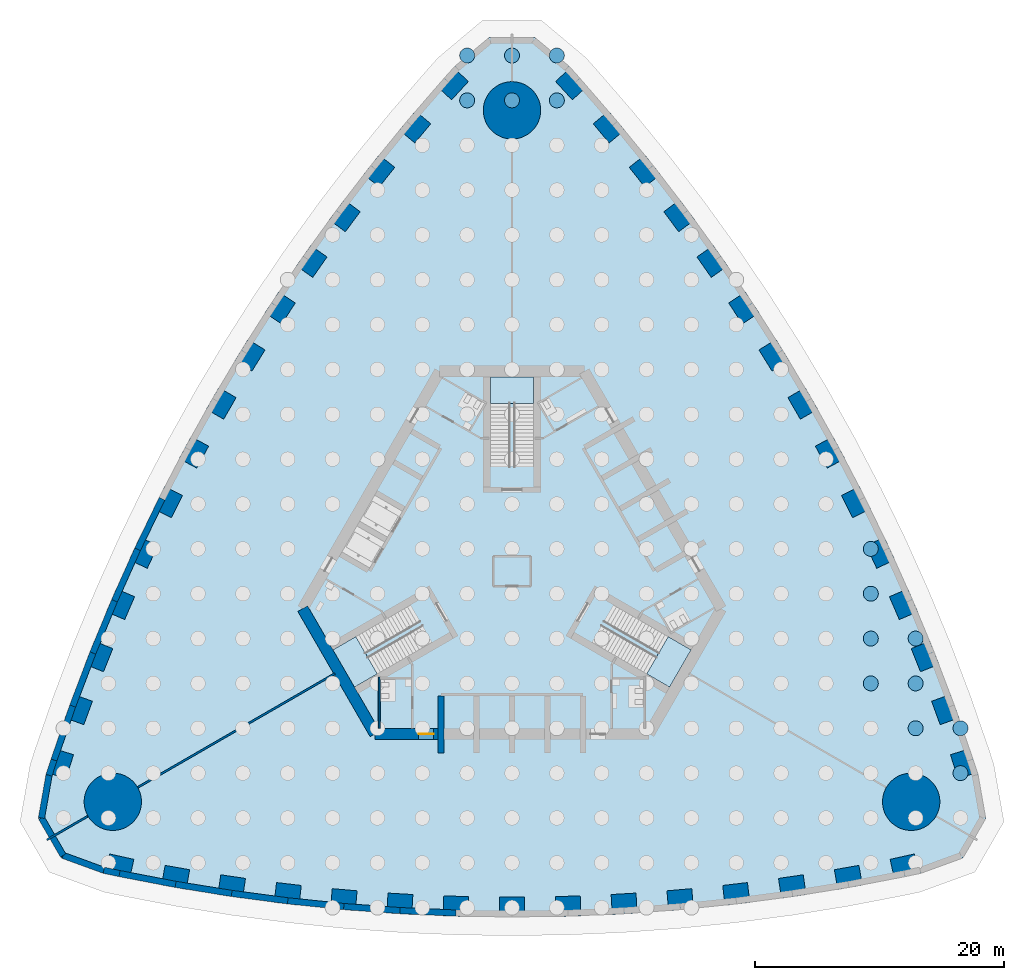
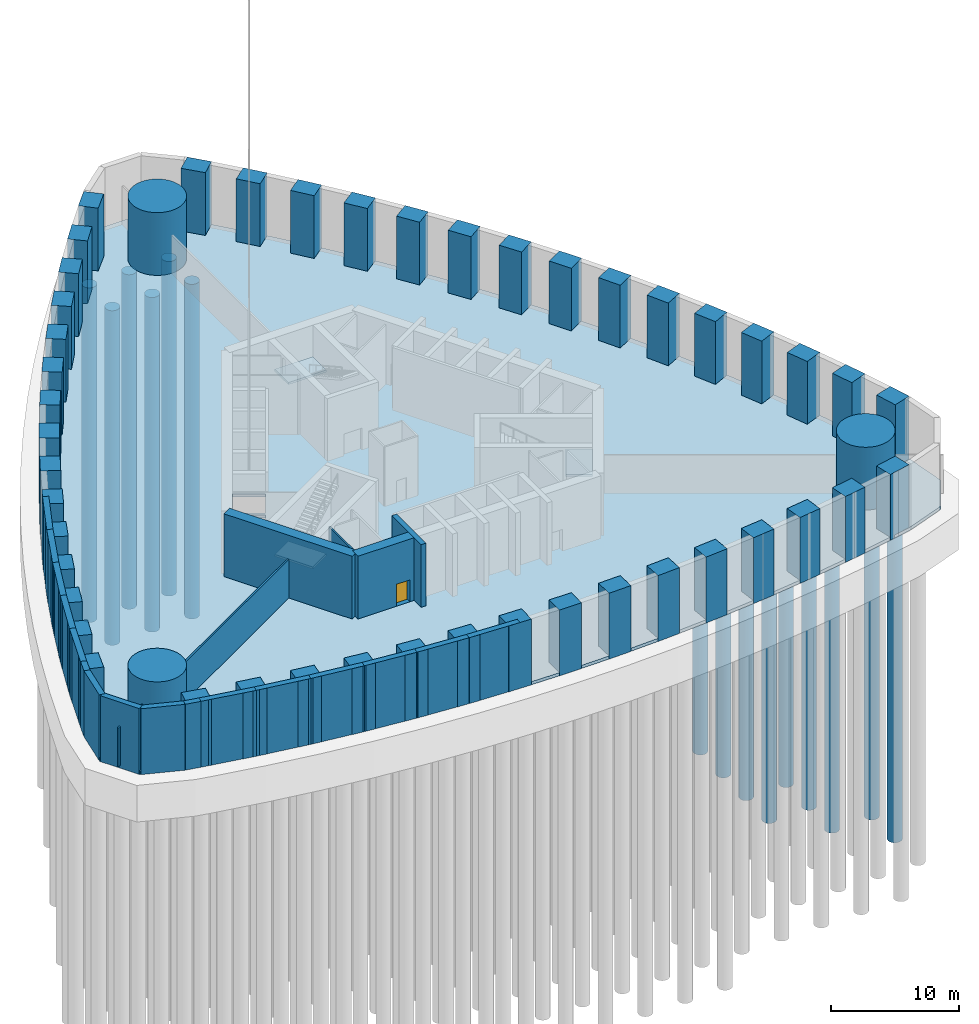
# One storey, part 2 of 12: 48 columns, 22 walls, 15 piles, 4 slabs, 1 door, 1 opening, 3 elements without a shape of their own.
"""IFC4 building model written with IfcOpenShell, lengths in metres."""

from ifc_helpers import new_model, si_unit, direction, frame, frame_2d, origin, origin_2d, place, context, subcontext, project, spatial, polyline, rectangle, circle, outline, extrude, material, layer, layer_set, material_profile, profile_set, type_object, element, fill, aggregate, save


model = new_model("IFC4")

# Units and contexts
model_context = context("Model", 3, precision=1e-05, world=origin(), true_north=direction((0.0, 1.0)))
body_context = subcontext(model_context, "Body", "Model", "MODEL_VIEW")
ifc_project = project(units=[si_unit("LENGTHUNIT", "METRE"), si_unit("AREAUNIT", "SQUARE_METRE"), si_unit("VOLUMEUNIT", "CUBIC_METRE"), si_unit("PLANEANGLEUNIT", "RADIAN"), si_unit("MASSUNIT", "GRAM", prefix="KILO")], contexts=[model_context])

# Site, building, storey
site_placement = place(None, origin())
site = spatial("IfcSite", under=ifc_project, at=site_placement, CompositionType="ELEMENT")
building_placement = place(site_placement, origin())
building = spatial("IfcBuilding", under=site, at=building_placement, Name="Trefoil Bronze Tower", CompositionType="ELEMENT")
storey_placement = place(building_placement, frame((0.0, 0.0, -6.0)))
storey = spatial("IfcBuildingStorey", under=building, at=storey_placement, Name="B1", CompositionType="ELEMENT", Elevation=-6.0)

# Piles
ifc_material_1 = material(Name="Concrete B40", Category="concrete")
pile_type = type_object("IfcPileType", Name="Bored pile D1200", PredefinedType="BORED", material=ifc_material_1)
for number, where, z_axis, x_axis, name in (
    (1, (36.0, -16.199951171875, -3.800048828125), (0.0, 0.0, -1.0), (1.0, 0.0, 0.0), "Bored pile 70"),
    (2, (32.39990234375, -12.60009765625, -3.800048828125), (0.0, 0.0, -1.0), (1.0, 0.0, 0.0), "Bored pile 90"),
    (3, (36.0, -12.60009765625, -3.800048828125), (0.0, 0.0, -1.0), (1.0, 0.0, 0.0), "Bored pile 91"),
    (4, (28.800048828125, -9.0, -3.800048828125), (0.0, 0.0, -1.0), (1.0, 0.0, 0.0), "Bored pile 109"),
    (5, (32.39990234375, -9.0, -3.800048828125), (0.0, 0.0, -1.0), (1.0, 0.0, 0.0), "Bored pile 110"),
    (6, (28.800048828125, -5.39990234375, -3.800048828125), (0.0, 0.0, -1.0), (1.0, 0.0, 0.0), "Bored pile 128"),
    (7, (32.39990234375, -5.39990234375, -3.800048828125), (0.0, 0.0, -1.0), (1.0, 0.0, 0.0), "Bored pile 129"),
    (8, (28.800048828125, -1.800048828125, -3.800048828125), (0.0, 0.0, -1.0), (1.0, 0.0, 0.0), "Bored pile 146"),
    (9, (28.800048828125, 1.800048828125, -3.800048828125), (0.0, 0.0, -1.0), (1.0, 0.0, 0.0), "Bored pile 161"),
    (10, (-3.60009765625, 37.800048828125, -3.800048828125), (0.0, 0.0, -1.0), (1.0, 0.0, 0.0), "Bored pile 260"),
    (11, (0.0, 37.800048828125, -3.800048828125), (0.0, 0.0, -1.0), (1.0, 0.0, 0.0), "Bored pile 261"),
    (12, (3.60009765625, 37.800048828125, -3.800048828125), (0.0, 0.0, -1.0), (1.0, 0.0, 0.0), "Bored pile 262"),
    (13, (-3.60009765625, 41.39990234375, -3.800048828125), (0.0, 0.0, -1.0), (1.0, 0.0, 0.0), "Bored pile 263"),
    (14, (0.0, 41.39990234375, -3.800048828125), (0.0, 0.0, -1.0), (1.0, 0.0, 0.0), "Bored pile 264"),
    (15, (3.60009765625, 41.39990234375, -3.800048828125), (0.0, 0.0, -1.0), (1.0, 0.0, 0.0), "Bored pile 265"),
):
    element("IfcPile", number, at=place(storey_placement, frame(where, z_axis=z_axis, x_axis=x_axis)), inside=storey, type_object=pile_type, Name=name, PredefinedType="BORED", context=body_context, shape_type="SweptSolid", body=[
        extrude(circle(Radius=0.60009765625, at=origin_2d()), origin(), (0.0, 0.0, 1.0), 32.0),
    ])

# Columns
ifc_material_2 = material(Name="Concrete B80", Category="concrete")
ifc_material_profile_1 = material_profile(ifc_material_2, circle(Radius=2.300048828125, at=origin_2d()), Name="RC D4600")
ifc_profile_set_1 = profile_set([ifc_material_profile_1], Name="Concrete B80")
column_type_1 = type_object("IfcColumnType", Name="Mega column RC D4600", PredefinedType="COLUMN", material=ifc_profile_set_1)
for number, where, z_axis, x_axis, name in (
    (16, (32.04296875, -18.5, -0.300048828125), (0.0, 0.0, 1.0), (1.0, 0.0, 0.0), "Mega column K1 B1"),
    (17, (0.0, 37.0, -0.300048828125), (0.0, 0.0, 1.0), (1.0, 0.0, 0.0), "Mega column K2 B1"),
    (18, (-32.04296875, -18.5, -0.300048828125), (0.0, 0.0, 1.0), (1.0, 0.0, 0.0), "Mega column K3 B1"),
):
    element("IfcColumn", number, at=place(storey_placement, frame(where, z_axis=z_axis, x_axis=x_axis)), inside=storey, type_object=column_type_1, Name=name, PredefinedType="COLUMN", context=body_context, shape_type="SweptSolid", body=[
        extrude(circle(Radius=2.300048828125, at=origin_2d()), origin(), (0.0, 0.0, 1.0), 6.300048828125),
    ])
ifc_material_3 = material(Name="Concrete B80", Category="concrete")
ifc_material_profile_2 = material_profile(ifc_material_3, rectangle(XDim=2.0, YDim=1.60009765625, at=origin_2d()), Name="RC 2000x1600")
ifc_profile_set_2 = profile_set([ifc_material_profile_2], Name="Concrete B80")
column_type_2 = type_object("IfcColumnType", Name="Tube column RC 2000x1600", PredefinedType="COLUMN", material=ifc_profile_set_2)
for number, where, z_axis, x_axis, name in (
    (19, (-31.5, -23.684814453125, -0.300048828125), (0.0, 0.0, 1.0), (0.976229647342, -0.216738726697, 0.0), "Tube column F1/-7 B1"),
    (20, (-27.0, -24.56787109375, -0.300048828125), (0.0, 0.0, 1.0), (0.984722470468, -0.174131146426, 0.0), "Tube column F1/-6 B1"),
    (21, (-22.5, -25.29931640625, -0.300048828125), (0.0, 0.0, 1.0), (0.989415676546, -0.145108990094, 0.0), "Tube column F1/-5 B1"),
    (22, (-18.0, -25.895263671875, -0.300048828125), (0.0, 0.0, 1.0), (0.993239048989, -0.116086999973, 0.0), "Tube column F1/-4 B1"),
    (23, (-13.5, -26.35693359375, -0.300048828125), (0.0, 0.0, 1.0), (0.996202620701, -0.087065139456, 0.0), "Tube column F1/-3 B1"),
    (24, (-9.0, -26.68603515625, -0.300048828125), (0.0, 0.0, 1.0), (0.998314062162, -0.058043374207, 0.0), "Tube column F1/-2 B1"),
    (25, (-4.5, -26.883056640625, -0.300048828125), (0.0, 0.0, 1.0), (0.999578782577, -0.029021671584, 0.0), "Tube column F1/-1 B1"),
    (26, (0.0, -26.94873046875, -0.300048828125), (0.0, 0.0, 1.0), (1.0, 0.0, 0.0), "Tube column F1/+0 B1"),
    (27, (4.5, -26.883056640625, -0.300048828125), (0.0, 0.0, 1.0), (0.999578782577, 0.029021671584, 0.0), "Tube column F1/+1 B1"),
    (28, (9.0, -26.68603515625, -0.300048828125), (0.0, 0.0, 1.0), (0.998314062162, 0.058043374207, 0.0), "Tube column F1/+2 B1"),
    (29, (13.5, -26.35693359375, -0.300048828125), (0.0, 0.0, 1.0), (0.996202620701, 0.087065139456, 0.0), "Tube column F1/+3 B1"),
    (30, (18.0, -25.895263671875, -0.300048828125), (0.0, 0.0, 1.0), (0.993239048989, 0.116086999973, 0.0), "Tube column F1/+4 B1"),
    (31, (22.5, -25.29931640625, -0.300048828125), (0.0, 0.0, 1.0), (0.989415676546, 0.145108990094, 0.0), "Tube column F1/+5 B1"),
    (32, (27.0, -24.56787109375, -0.300048828125), (0.0, 0.0, 1.0), (0.984722470468, 0.174131146426, 0.0), "Tube column F1/+6 B1"),
    (33, (31.5, -23.684814453125, -0.300048828125), (0.0, 0.0, 1.0), (0.976229647342, 0.216738726697, 0.0), "Tube column F1/+7 B1"),
    (34, (36.26171875, -15.4375, -0.300048828125), (0.0, 0.0, 1.0), (-0.300413580368, 0.953809037874, 0.0), "Tube column F2/-7 B1"),
    (35, (34.7763671875, -11.0986328125, -0.300048828125), (0.0, 0.0, 1.0), (-0.341559238839, 0.939860248316, 0.0), "Tube column F2/-6 B1"),
    (36, (33.159912109375, -6.8359375, -0.300048828125), (0.0, 0.0, 1.0), (-0.369039766534, 0.929413605838, 0.0), "Tube column F2/-5 B1"),
    (37, (31.42578125, -2.640869140625, -0.300048828125), (0.0, 0.0, 1.0), (-0.396085233469, 0.918213748442, 0.0), "Tube column F2/-4 B1"),
    (38, (29.575927734375, 1.487060546875, -0.300048828125), (0.0, 0.0, 1.0), (-0.422700687798, 0.906269346572, 0.0), "Tube column F2/-3 B1"),
    (39, (27.61083984375, 5.548828125, -0.300048828125), (0.0, 0.0, 1.0), (-0.448889994497, 0.893587025891, 0.0), "Tube column F2/-2 B1"),
    (40, (25.531494140625, 9.54443359375, -0.300048828125), (0.0, 0.0, 1.0), (-0.474655886437, 0.880171454588, 0.0), "Tube column F2/-1 B1"),
    (41, (23.33837890625, 13.474365234375, -0.300048828125), (0.0, 0.0, 1.0), (-0.5, 0.866025403784, 0.0), "Tube column F2/+0 B1"),
    (42, (21.031494140625, 17.338623046875, -0.300048828125), (0.0, 0.0, 1.0), (-0.524922896141, 0.851149783004, 0.0), "Tube column F2/+1 B1"),
    (43, (18.61083984375, 21.13720703125, -0.300048828125), (0.0, 0.0, 1.0), (-0.549424067665, 0.835543651684, 0.0), "Tube column F2/+2 B1"),
    (44, (16.075927734375, 24.869873046875, -0.300048828125), (0.0, 0.0, 1.0), (-0.573501932903, 0.819204207116, 0.0), "Tube column F2/+3 B1"),
    (45, (13.42578125, 28.5361328125, -0.300048828125), (0.0, 0.0, 1.0), (-0.59715381552, 0.802126748469, 0.0), "Tube column F2/+4 B1"),
    (46, (10.659912109375, 32.13525390625, -0.300048828125), (0.0, 0.0, 1.0), (-0.620375910011, 0.784304615744, 0.0), "Tube column F2/+5 B1"),
    (47, (7.7763671875, 35.666748046875, -0.300048828125), (0.0, 0.0, 1.0), (-0.643163231629, 0.765729101889, 0.0), "Tube column F2/+6 B1"),
    (48, (4.76171875, 39.122314453125, -0.300048828125), (0.0, 0.0, 1.0), (-0.675816066975, 0.737070311177, 0.0), "Tube column F2/+7 B1"),
    (49, (-4.76171875, 39.122314453125, -0.300048828125), (0.0, 0.0, 1.0), (-0.675816066975, -0.737070311177, 0.0), "Tube column F3/-7 B1"),
    (50, (-7.7763671875, 35.666748046875, -0.300048828125), (0.0, 0.0, 1.0), (-0.643163231629, -0.765729101889, 0.0), "Tube column F3/-6 B1"),
    (51, (-10.659912109375, 32.13525390625, -0.300048828125), (0.0, 0.0, 1.0), (-0.620375910011, -0.784304615744, 0.0), "Tube column F3/-5 B1"),
    (52, (-13.42578125, 28.5361328125, -0.300048828125), (0.0, 0.0, 1.0), (-0.59715381552, -0.802126748469, 0.0), "Tube column F3/-4 B1"),
    (53, (-16.075927734375, 24.869873046875, -0.300048828125), (0.0, 0.0, 1.0), (-0.573501932903, -0.819204207116, 0.0), "Tube column F3/-3 B1"),
    (54, (-18.61083984375, 21.13720703125, -0.300048828125), (0.0, 0.0, 1.0), (-0.549424067665, -0.835543651684, 0.0), "Tube column F3/-2 B1"),
    (55, (-21.031494140625, 17.338623046875, -0.300048828125), (0.0, 0.0, 1.0), (-0.524922896141, -0.851149783004, 0.0), "Tube column F3/-1 B1"),
    (56, (-23.33837890625, 13.474365234375, -0.300048828125), (0.0, 0.0, 1.0), (-0.5, -0.866025403784, 0.0), "Tube column F3/+0 B1"),
    (57, (-25.531494140625, 9.54443359375, -0.300048828125), (0.0, 0.0, 1.0), (-0.474655886437, -0.880171454588, 0.0), "Tube column F3/+1 B1"),
    (58, (-27.61083984375, 5.548828125, -0.300048828125), (0.0, 0.0, 1.0), (-0.448889994497, -0.893587025891, 0.0), "Tube column F3/+2 B1"),
    (59, (-29.575927734375, 1.487060546875, -0.300048828125), (0.0, 0.0, 1.0), (-0.422700687798, -0.906269346572, 0.0), "Tube column F3/+3 B1"),
    (60, (-31.42578125, -2.640869140625, -0.300048828125), (0.0, 0.0, 1.0), (-0.396085233469, -0.918213748442, 0.0), "Tube column F3/+4 B1"),
    (61, (-33.159912109375, -6.8359375, -0.300048828125), (0.0, 0.0, 1.0), (-0.369039766534, -0.929413605838, 0.0), "Tube column F3/+5 B1"),
    (62, (-34.7763671875, -11.0986328125, -0.300048828125), (0.0, 0.0, 1.0), (-0.341559238839, -0.939860248316, 0.0), "Tube column F3/+6 B1"),
    (63, (-36.26171875, -15.4375, -0.300048828125), (0.0, 0.0, 1.0), (-0.300413580368, -0.953809037874, 0.0), "Tube column F3/+7 B1"),
):
    element("IfcColumn", number, at=place(storey_placement, frame(where, z_axis=z_axis, x_axis=x_axis)), inside=storey, type_object=column_type_2, Name=name, PredefinedType="COLUMN", context=body_context, shape_type="SweptSolid", body=[
        extrude(rectangle(XDim=2.0, YDim=1.60009765625, at=origin_2d()), origin(), (0.0, 0.0, 1.0), 6.300048828125),
    ])

# Slab
ifc_material_4 = material(Name="Concrete B40", Category="concrete")
ifc_layer_1 = layer(ifc_material_4, 0.300048828125)
ifc_layer_set_1 = layer_set([ifc_layer_1], Name="Basement slab 300")
slab_type_1 = type_object("IfcSlabType", Name="Basement slab 300", PredefinedType="BASESLAB", material=ifc_layer_set_1)
slab_1_placement = place(storey_placement, frame((0.0, 0.0, -0.300048828125)))
element("IfcSlab", 64, at=slab_1_placement, inside=storey, type_object=slab_type_1, Name="Basement slab B1", PredefinedType="BASESLAB", context=body_context, shape_type="SweptSolid", body=[
    extrude(outline(polyline([(-32.762451171875, -24.248779296875), (-31.5, -24.51611328125), (-27.0, -25.38037109375), (-22.5, -26.10791015625), (-18.0, -26.70068359375), (-13.5, -27.159912109375), (-9.0, -27.4873046875), (-4.5, -27.683349609375), (0.0, -27.748779296875), (4.5, -27.683349609375), (9.0, -27.4873046875), (13.5, -27.159912109375), (18.0, -26.70068359375), (22.5, -26.10791015625), (27.0, -25.38037109375), (31.5, -24.51611328125), (32.762451171875, -24.248779296875), (36.190673828125, -23.0009765625), (38.0146484375, -19.841552734375), (37.381103515625, -16.248779296875), (36.9814453125, -15.021728515625), (35.47998046875, -10.6923828125), (33.860107421875, -6.431640625), (32.123291015625, -2.238037109375), (30.271240234375, 1.888671875), (28.3046875, 5.949462890625), (26.224609375, 9.944580078125), (24.031005859375, 13.874267578125), (21.724609375, 17.73876953125), (19.3046875, 21.537841796875), (16.771240234375, 25.271240234375), (14.123291015625, 28.938720703125), (11.360107421875, 32.53955078125), (8.47998046875, 36.07275390625), (5.4814453125, 39.537841796875), (4.618896484375, 40.497314453125), (1.82421875, 42.842529296875), (-1.82421875, 42.842529296875), (-4.618896484375, 40.497314453125), (-5.4814453125, 39.537841796875), (-8.47998046875, 36.07275390625), (-11.360107421875, 32.53955078125), (-14.123291015625, 28.938720703125), (-16.771240234375, 25.271240234375), (-19.3046875, 21.537841796875), (-21.724609375, 17.73876953125), (-24.031005859375, 13.874267578125), (-26.224609375, 9.944580078125), (-28.3046875, 5.949462890625), (-30.271240234375, 1.888671875), (-32.123291015625, -2.238037109375), (-33.860107421875, -6.431640625), (-35.47998046875, -10.6923828125), (-36.9814453125, -15.021728515625), (-37.381103515625, -16.248779296875), (-38.0146484375, -19.841552734375), (-36.190673828125, -23.0009765625), (-32.762451171875, -24.248779296875)]), holes=[polyline([(-8.744384765625, 4.904296875), (-10.04443359375, 2.652587890625), (-12.2744140625, 3.940185546875), (-10.974365234375, 6.191650390625), (-8.744384765625, 4.904296875)]), polyline([(-10.16943359375, 2.43603515625), (-11.469482421875, 0.184326171875), (-13.699462890625, 1.471923828125), (-12.3994140625, 3.7236328125), (-10.16943359375, 2.43603515625)])]), origin(), (0.0, 0.0, 1.0), 0.300048828125),
])

# Stair, slab
ifc_material_5 = material(Name="Precast concrete B80", Category="concrete")
stair_type = type_object("IfcStairType", Name="Exit stair 36 risers", PredefinedType="HALF_TURN_STAIR", material=ifc_material_5)
stair_1_placement = place(storey_placement, origin())
stair_1 = element("IfcStair", 65, at=stair_1_placement, inside=storey, type_object=stair_type, Name="Stair ST1 B1", PredefinedType="HALF_TURN_STAIR")
ifc_material_6 = material(Name="Concrete B30", Category="concrete")
ifc_layer_2 = layer(ifc_material_6, 0.199951171875)
ifc_layer_set_2 = layer_set([ifc_layer_2], Name="Stair landing 200")
slab_type_2 = type_object("IfcSlabType", Name="Stair landing 200", PredefinedType="LANDING", material=ifc_layer_set_2)
slab_2_placement = place(storey_placement, frame((0.0, 0.0, 2.800048828125)))
slab_2 = element("IfcSlab", 66, at=slab_2_placement, type_object=slab_type_2, Name="ST1 landing 1", PredefinedType="LANDING", context=body_context, shape_type="SweptSolid", body=[
    extrude(outline(polyline([(10.8115234375, -8.23388671875), (12.6474609375, -9.2939453125), (14.37255859375, -6.30615234375), (12.53662109375, -5.24609375), (10.8115234375, -8.23388671875)])), origin(), (0.0, 0.0, 1.0), 0.199951171875),
])
aggregate(stair_1, [slab_2])

stair_2_placement = place(storey_placement, origin())
stair_2 = element("IfcStair", 67, at=stair_2_placement, inside=storey, type_object=stair_type, Name="Stair ST2 B1", PredefinedType="HALF_TURN_STAIR")
slab_3_placement = place(storey_placement, frame((0.0, 0.0, 2.800048828125)))
slab_3 = element("IfcSlab", 68, at=slab_3_placement, type_object=slab_type_2, Name="ST2 landing 1", PredefinedType="LANDING", context=body_context, shape_type="SweptSolid", body=[
    extrude(outline(polyline([(1.72509765625, 13.47998046875), (1.72509765625, 15.60009765625), (-1.72509765625, 15.60009765625), (-1.72509765625, 13.47998046875), (1.72509765625, 13.47998046875)])), origin(), (0.0, 0.0, 1.0), 0.199951171875),
])
aggregate(stair_2, [slab_3])

stair_3_placement = place(storey_placement, origin())
stair_3 = element("IfcStair", 69, at=stair_3_placement, inside=storey, type_object=stair_type, Name="Stair ST3 B1", PredefinedType="HALF_TURN_STAIR")
slab_4_placement = place(storey_placement, frame((0.0, 0.0, 2.800048828125)))
slab_4 = element("IfcSlab", 70, at=slab_4_placement, type_object=slab_type_2, Name="ST3 landing 1", PredefinedType="LANDING", context=body_context, shape_type="SweptSolid", body=[
    extrude(outline(polyline([(-12.53662109375, -5.24609375), (-14.37255859375, -6.30615234375), (-12.6474609375, -9.2939453125), (-10.8115234375, -8.23388671875), (-12.53662109375, -5.24609375)])), origin(), (0.0, 0.0, 1.0), 0.199951171875),
])
aggregate(stair_3, [slab_4])

# Walls
ifc_material_7 = material(Name="Concrete B40", Category="concrete")
ifc_layer_3 = layer(ifc_material_7, 0.5)
ifc_layer_set_3 = layer_set([ifc_layer_3], Name="Basement wall 500")
wall_type_1 = type_object("IfcWallType", Name="Basement wall 500", PredefinedType="SOLIDWALL", material=ifc_layer_set_3)
wall_1_placement = place(storey_placement, frame((-32.762451171875, -23.998779296875, -0.300048828125), z_axis=(0.0, 0.0, 1.0), x_axis=(0.978306217861, -0.207164051162, 0.0)))
element("IfcWall", 71, at=wall_1_placement, inside=storey, type_object=wall_type_1, Name="Basement wall 1", PredefinedType="SOLIDWALL", context=body_context, shape_type="SweptSolid", body=[
    extrude(rectangle(XDim=1.29052734375, YDim=0.5, at=frame_2d((0.645263671875, 0.0))), origin(), (0.0, 0.0, 1.0), 6.300048828125),
])
wall_2_placement = place(storey_placement, frame((-31.5, -24.26611328125, -0.300048828125), z_axis=(0.0, 0.0, 1.0), x_axis=(0.982052021543, -0.188610251533, 0.0)))
element("IfcWall", 72, at=wall_2_placement, inside=storey, type_object=wall_type_1, Name="Basement wall 2", PredefinedType="SOLIDWALL", context=body_context, shape_type="SweptSolid", body=[
    extrude(rectangle(XDim=4.582275390625, YDim=0.5, at=frame_2d((2.291015625, 0.0))), origin(), (0.0, 0.0, 1.0), 6.300048828125),
])
wall_3_placement = place(storey_placement, frame((-27.0, -25.13037109375, -0.300048828125), z_axis=(0.0, 0.0, 1.0), x_axis=(0.987181300889, -0.159602879593, 0.0)))
element("IfcWall", 73, at=wall_3_placement, inside=storey, type_object=wall_type_1, Name="Basement wall 3", PredefinedType="SOLIDWALL", context=body_context, shape_type="SweptSolid", body=[
    extrude(rectangle(XDim=4.558349609375, YDim=0.5, at=frame_2d((2.279296875, 0.0))), origin(), (0.0, 0.0, 1.0), 6.300048828125),
])
wall_4_placement = place(storey_placement, frame((-22.5, -25.85791015625, -0.300048828125), z_axis=(0.0, 0.0, 1.0), x_axis=(0.991435244698, -0.130599217346, 0.0)))
element("IfcWall", 74, at=wall_4_placement, inside=storey, type_object=wall_type_1, Name="Basement wall 4", PredefinedType="SOLIDWALL", context=body_context, shape_type="SweptSolid", body=[
    extrude(rectangle(XDim=4.538818359375, YDim=0.5, at=frame_2d((2.26953125, 0.0))), origin(), (0.0, 0.0, 1.0), 6.300048828125),
])
wall_5_placement = place(storey_placement, frame((-18.0, -26.45068359375, -0.300048828125), z_axis=(0.0, 0.0, 1.0), x_axis=(0.994833141332, -0.101523499286, 0.0)))
element("IfcWall", 75, at=wall_5_placement, inside=storey, type_object=wall_type_1, Name="Basement wall 5", PredefinedType="SOLIDWALL", context=body_context, shape_type="SweptSolid", body=[
    extrude(rectangle(XDim=4.5234375, YDim=0.5, at=frame_2d((2.26171875, 0.0))), origin(), (0.0, 0.0, 1.0), 6.300048828125),
])
wall_6_placement = place(storey_placement, frame((-13.5, -26.909912109375, -0.300048828125), z_axis=(0.0, 0.0, 1.0), x_axis=(0.997363894896, -0.072562119306, 0.0)))
element("IfcWall", 76, at=wall_6_placement, inside=storey, type_object=wall_type_1, Name="Basement wall 6", PredefinedType="SOLIDWALL", context=body_context, shape_type="SweptSolid", body=[
    extrude(rectangle(XDim=4.511962890625, YDim=0.5, at=frame_2d((2.255859375, 0.0))), origin(), (0.0, 0.0, 1.0), 6.300048828125),
])
wall_7_placement = place(storey_placement, frame((-9.0, -27.2373046875, -0.300048828125), z_axis=(0.0, 0.0, 1.0), x_axis=(0.999052370647, -0.043524254212, 0.0)))
element("IfcWall", 77, at=wall_7_placement, inside=storey, type_object=wall_type_1, Name="Basement wall 7", PredefinedType="SOLIDWALL", context=body_context, shape_type="SweptSolid", body=[
    extrude(rectangle(XDim=4.504150390625, YDim=0.5, at=frame_2d((2.251953125, 0.0))), origin(), (0.0, 0.0, 1.0), 6.300048828125),
])
wall_8_placement = place(storey_placement, frame((-28.088134765625, 5.824462890625, -0.300048828125), z_axis=(0.0, 0.0, 1.0), x_axis=(-0.435857917556, -0.900015486369, 0.0)))
element("IfcWall", 78, at=wall_8_placement, inside=storey, type_object=wall_type_1, Name="Basement wall 49", PredefinedType="SOLIDWALL", context=body_context, shape_type="SweptSolid", body=[
    extrude(rectangle(XDim=4.511962890625, YDim=0.5, at=frame_2d((2.255859375, 0.0))), origin(), (0.0, 0.0, 1.0), 6.300048828125),
])
wall_9_placement = place(storey_placement, frame((-30.0546875, 1.763671875, -0.300048828125), z_axis=(0.0, 0.0, 1.0), x_axis=(-0.409495979977, -0.912311921649, 0.0)))
element("IfcWall", 79, at=wall_9_placement, inside=storey, type_object=wall_type_1, Name="Basement wall 50", PredefinedType="SOLIDWALL", context=body_context, shape_type="SweptSolid", body=[
    extrude(rectangle(XDim=4.5234375, YDim=0.5, at=frame_2d((2.26171875, 0.0))), origin(), (0.0, 0.0, 1.0), 6.300048828125),
])
wall_10_placement = place(storey_placement, frame((-31.906982421875, -2.363037109375, -0.300048828125), z_axis=(0.0, 0.0, 1.0), x_axis=(-0.382594071331, -0.923916542001, 0.0)))
element("IfcWall", 80, at=wall_10_placement, inside=storey, type_object=wall_type_1, Name="Basement wall 51", PredefinedType="SOLIDWALL", context=body_context, shape_type="SweptSolid", body=[
    extrude(rectangle(XDim=4.5390625, YDim=0.5, at=frame_2d((2.26953125, 0.0))), origin(), (0.0, 0.0, 1.0), 6.300048828125),
])
wall_11_placement = place(storey_placement, frame((-33.6435546875, -6.556640625, -0.300048828125), z_axis=(0.0, 0.0, 1.0), x_axis=(-0.355369393324, -0.934725946087, 0.0)))
element("IfcWall", 81, at=wall_11_placement, inside=storey, type_object=wall_type_1, Name="Basement wall 52", PredefinedType="SOLIDWALL", context=body_context, shape_type="SweptSolid", body=[
    extrude(rectangle(XDim=4.558349609375, YDim=0.5, at=frame_2d((2.279296875, 0.0))), origin(), (0.0, 0.0, 1.0), 6.300048828125),
])
wall_12_placement = place(storey_placement, frame((-35.263427734375, -10.8173828125, -0.300048828125), z_axis=(0.0, 0.0, 1.0), x_axis=(-0.327712531041, -0.944777485442, 0.0)))
element("IfcWall", 82, at=wall_12_placement, inside=storey, type_object=wall_type_1, Name="Basement wall 53", PredefinedType="SOLIDWALL", context=body_context, shape_type="SweptSolid", body=[
    extrude(rectangle(XDim=4.582275390625, YDim=0.5, at=frame_2d((2.291015625, 0.0))), origin(), (0.0, 0.0, 1.0), 6.300048828125),
])
wall_13_placement = place(storey_placement, frame((-36.76513671875, -15.146728515625, -0.300048828125), z_axis=(0.0, 0.0, 1.0), x_axis=(-0.309693449929, -0.950836456532, 0.0)))
element("IfcWall", 83, at=wall_13_placement, inside=storey, type_object=wall_type_1, Name="Basement wall 54", PredefinedType="SOLIDWALL", context=body_context, shape_type="SweptSolid", body=[
    extrude(rectangle(XDim=1.29052734375, YDim=0.5, at=frame_2d((0.645263671875, 0.0))), origin(), (0.0, 0.0, 1.0), 6.300048828125),
])
wall_14_placement = place(storey_placement, frame((-37.164794921875, -16.373779296875, -0.300048828125), z_axis=(0.0, 0.0, 1.0), x_axis=(-0.173637130351, -0.984809700888, 0.0)))
element("IfcWall", 84, at=wall_14_placement, inside=storey, type_object=wall_type_1, Name="Basement wall 55", PredefinedType="SOLIDWALL", context=body_context, shape_type="SweptSolid", body=[
    extrude(rectangle(XDim=3.47705078125, YDim=0.5, at=frame_2d((1.738525390625, 0.0))), origin(), (0.0, 0.0, 1.0), 6.300048828125),
])
wall_15_placement = place(storey_placement, frame((-37.7685546875, -19.798095703125, -0.300048828125), z_axis=(0.0, 0.0, 1.0), x_axis=(0.500050645587, -0.865996161566, 0.0)))
element("IfcWall", 85, at=wall_15_placement, inside=storey, type_object=wall_type_1, Name="Basement wall 56", PredefinedType="SOLIDWALL", context=body_context, shape_type="SweptSolid", body=[
    extrude(rectangle(XDim=3.477294921875, YDim=0.5, at=frame_2d((1.73876953125, 0.0))), origin(), (0.0, 0.0, 1.0), 6.300048828125),
])
wall_16_placement = place(storey_placement, frame((-36.02978515625, -22.809326171875, -0.300048828125), z_axis=(0.0, 0.0, 1.0), x_axis=(0.939670360459, -0.342081296881, 0.0)))
element("IfcWall", 86, at=wall_16_placement, inside=storey, type_object=wall_type_1, Name="Basement wall 57", PredefinedType="SOLIDWALL", context=body_context, shape_type="SweptSolid", body=[
    extrude(rectangle(XDim=3.47705078125, YDim=0.5, at=frame_2d((1.738525390625, 0.0))), origin(), (0.0, 0.0, 1.0), 6.300048828125),
])

# Wall, opening, door
ifc_material_8 = material(Name="Concrete B80", Category="concrete")
ifc_layer_4 = layer(ifc_material_8, 0.89990234375)
ifc_layer_set_4 = layer_set([ifc_layer_4], Name="Core wall 900")
wall_type_2 = type_object("IfcWallType", Name="Core wall 900", PredefinedType="SHEAR", material=ifc_layer_set_4)
wall_17_placement = place(storey_placement, frame((-10.99853515625, -13.050048828125, -0.300048828125), z_axis=(0.0, 0.0, 1.0), x_axis=(1.0, 0.0, 0.0)))
wall_17 = element("IfcWall", 87, at=wall_17_placement, inside=storey, type_object=wall_type_2, Name="Core long wall 1-1 B1", PredefinedType="SHEAR", context=body_context, shape_type="SweptSolid", body=[
    extrude(rectangle(XDim=5.073486328125, YDim=0.89990234375, at=frame_2d((2.53662109375, 0.0))), origin(), (0.0, 0.0, 1.0), 6.300048828125),
])
opening_placement = place(wall_17_placement, frame((3.49853515625, 0.0, 0.300048828125)))
opening = element("IfcOpeningElement", 88, at=opening_placement, cuts=wall_17, Name="Opening D2", PredefinedType="OPENING", context=body_context, shape_type="SweptSolid", body=[
    extrude(rectangle(XDim=1.199951171875, YDim=2.10009765625, at=frame_2d((0.60009765625, 1.050048828125))), frame((0.0, 0.4599609375, 0.0), z_axis=(0.0, -1.0, 0.0), x_axis=(1.0, 0.0, 0.0)), (0.0, 0.0, 1.0), 0.919921875),
])
ifc_material_9 = material(Name="Steel door", Category="steel")
door_type = type_object("IfcDoorType", Name="Lobby door 1200", OperationType="SINGLE_SWING_RIGHT", PredefinedType="DOOR", material=ifc_material_9)
door_placement = place(opening_placement, origin())
door = element("IfcDoor", 89, at=door_placement, inside=storey, type_object=door_type, Name="Lobby door F1- B1", OperationType="SINGLE_SWING_RIGHT", OverallHeight=2.10009765625, OverallWidth=1.199951171875, PredefinedType="DOOR", context=body_context, shape_type="SweptSolid", body=[
    extrude(rectangle(XDim=1.199951171875, YDim=2.10009765625, at=frame_2d((0.60009765625, 1.050048828125))), frame((0.0, 0.02490234375, 0.0), z_axis=(0.0, -1.0, 0.0), x_axis=(1.0, 0.0, 0.0)), (0.0, 0.0, 1.0), 0.050048828125),
])
fill(opening, door)

# Walls
wall_18_placement = place(storey_placement, frame((-16.80078125, -3.0, -0.300048828125), z_axis=(0.0, 0.0, 1.0), x_axis=(0.499990156827, -0.866031086669, 0.0)))
element("IfcWall", 90, at=wall_18_placement, inside=storey, type_object=wall_type_2, Name="Core short wall 3 B1", PredefinedType="SHEAR", context=body_context, shape_type="SweptSolid", body=[
    extrude(rectangle(XDim=11.604736328125, YDim=0.89990234375, at=frame_2d((5.80224609375, 0.0))), origin(), (0.0, 0.0, 1.0), 6.300048828125),
])
ifc_material_10 = material(Name="Concrete B80", Category="concrete")
ifc_layer_5 = layer(ifc_material_10, 0.449951171875)
ifc_layer_set_5 = layer_set([ifc_layer_5], Name="Outrigger shaft wall 450")
wall_type_3 = type_object("IfcWallType", Name="Outrigger shaft wall 450", PredefinedType="SHEAR", material=ifc_layer_set_5)
wall_19_placement = place(storey_placement, frame((-5.699951171875, -10.02490234375, -0.300048828125), z_axis=(0.0, 0.0, 1.0), x_axis=(0.0, -1.0, 0.0)))
element("IfcWall", 91, at=wall_19_placement, inside=storey, type_object=wall_type_3, Name="Lift shaft side wall A0 B1", PredefinedType="SHEAR", context=body_context, shape_type="SweptSolid", body=[
    extrude(rectangle(XDim=4.5751953125, YDim=0.449951171875, at=frame_2d((2.28759765625, 0.0))), origin(), (0.0, 0.0, 1.0), 6.300048828125),
])
ifc_material_11 = material(Name="Gypsum board on steel studs", Category="steel")
ifc_layer_6 = layer(ifc_material_11, 0.14990234375)
ifc_layer_set_6 = layer_set([ifc_layer_6], Name="Partition 150")
wall_type_4 = type_object("IfcWallType", Name="Partition 150", PredefinedType="PARTITIONING", material=ifc_layer_set_6)
wall_20_placement = place(storey_placement, frame((-10.659912109375, -8.5, 0.0), z_axis=(0.0, 0.0, 1.0), x_axis=(0.0, -1.0, 0.0)))
element("IfcWall", 92, at=wall_20_placement, inside=storey, type_object=wall_type_4, Name="WC partition WC (women) B1", PredefinedType="PARTITIONING", context=body_context, shape_type="SweptSolid", body=[
    extrude(rectangle(XDim=4.10009765625, YDim=0.14990234375, at=frame_2d((2.050048828125, 0.0))), origin(), (0.0, 0.0, 1.0), 5.699951171875),
])
ifc_material_12 = material(Name="Gypsum board on steel studs", Category="steel")
ifc_layer_7 = layer(ifc_material_12, 0.14990234375)
ifc_layer_set_7 = layer_set([ifc_layer_7], Name="Party wall 150")
wall_type_5 = type_object("IfcWallType", Name="Party wall 150", PredefinedType="PARTITIONING", material=ifc_layer_set_7)
wall_21_placement = place(storey_placement, frame((-14.202880859375, -8.199951171875, 0.0), z_axis=(0.0, 0.0, 1.0), x_axis=(-0.866024965723, -0.500000758745, 0.0)))
element("IfcWall", 93, at=wall_21_placement, inside=storey, type_object=wall_type_5, Name="Party wall K3 B1", PredefinedType="PARTITIONING", context=body_context, shape_type="SweptSolid", body=[
    extrude(rectangle(XDim=18.25, YDim=0.14990234375, at=frame_2d((9.125, 0.0))), origin(), (0.0, 0.0, 1.0), 3.699951171875),
])
wall_22_placement = place(storey_placement, frame((-34.078125, -19.675048828125, 0.0), z_axis=(0.0, 0.0, 1.0), x_axis=(-0.866019247219, -0.500010663332, 0.0)))
element("IfcWall", 94, at=wall_22_placement, inside=storey, type_object=wall_type_5, Name="Party wall K3 B1", PredefinedType="PARTITIONING", context=body_context, shape_type="SweptSolid", body=[
    extrude(rectangle(XDim=3.76416015625, YDim=0.14990234375, at=frame_2d((1.882080078125, 0.0))), origin(), (0.0, 0.0, 1.0), 3.699951171875),
])

save(model, "model.ifc")
